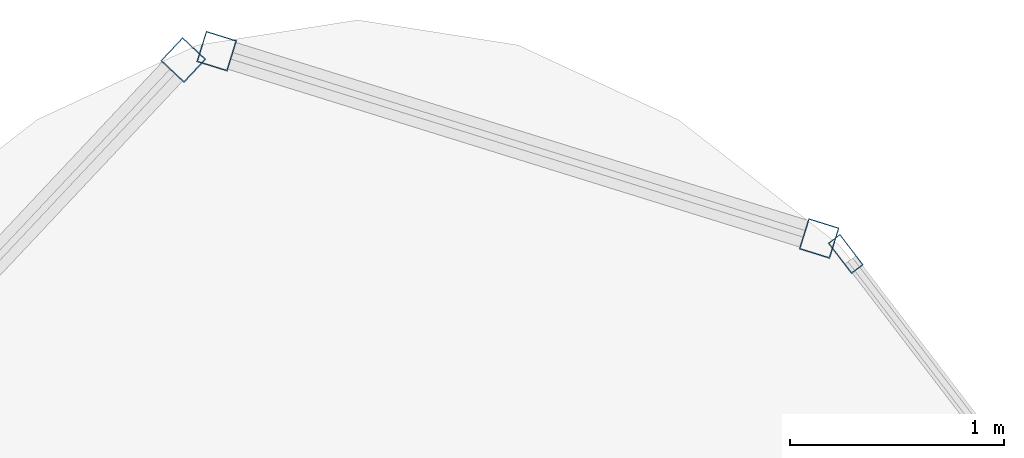
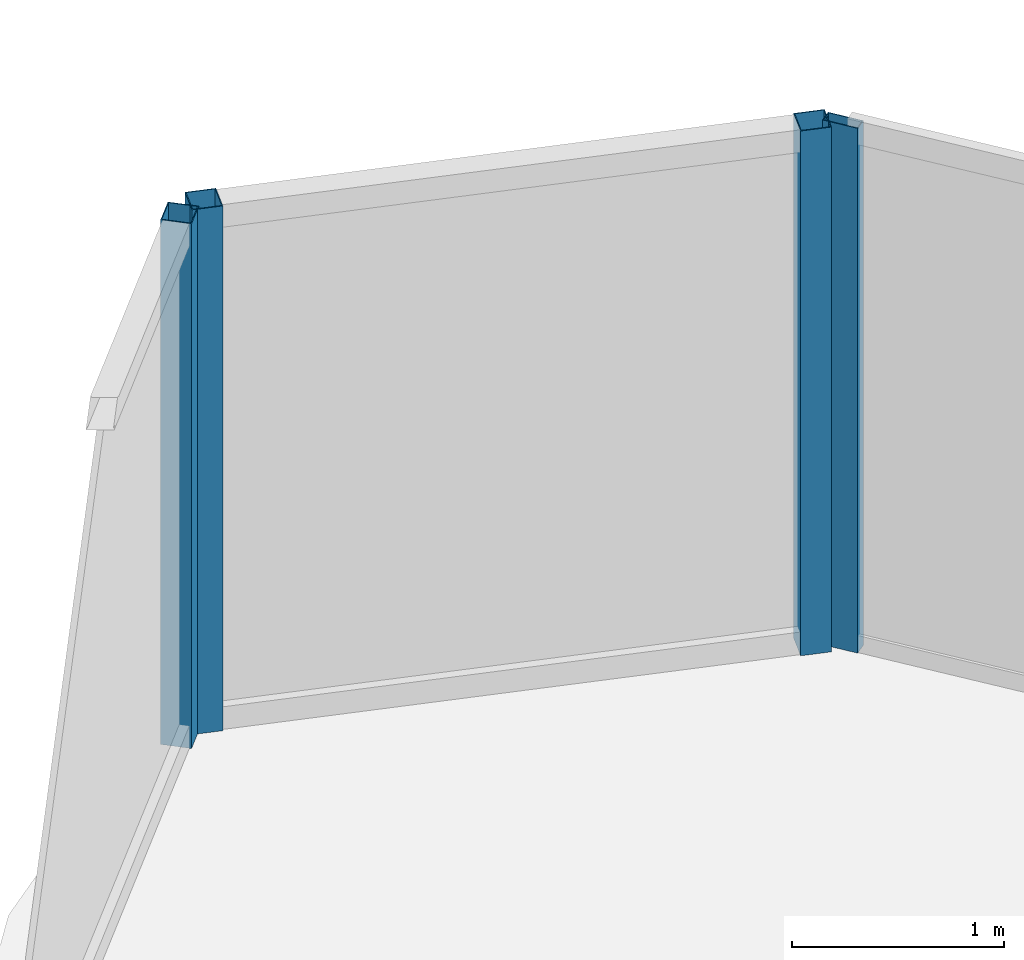
# One storey, part 23 of 33: 4 members, 3 elements without a shape of their own.
"""IFC4 building model written with IfcOpenShell, lengths in metres."""

from ifc_helpers import new_model, si_unit, direction, frame, origin, origin_2d, place, context, subcontext, project, spatial, hollow_rectangle, extrude, material, layer, layer_set, material_profile, profile_set, type_object, element, aggregate, save


model = new_model("IFC4")

# Units and contexts
model_context = context("Model", 3, precision=1e-05, world=origin(), true_north=direction((0.0, 1.0)))
body_context = subcontext(model_context, "Body", "Model", "MODEL_VIEW")
ifc_project = project(units=[si_unit("LENGTHUNIT", "METRE"), si_unit("AREAUNIT", "SQUARE_METRE"), si_unit("VOLUMEUNIT", "CUBIC_METRE"), si_unit("PLANEANGLEUNIT", "RADIAN"), si_unit("MASSUNIT", "GRAM", prefix="KILO")], contexts=[model_context])

# Site, building, storey
site_placement = place(None, origin())
site = spatial("IfcSite", under=ifc_project, at=site_placement, CompositionType="ELEMENT")
building_placement = place(site_placement, origin())
building = spatial("IfcBuilding", under=site, at=building_placement, Name="Orvanel Arch Residences", CompositionType="ELEMENT")
storey_placement = place(building_placement, frame((0.0, 0.0, 93.949951171875)))
storey = spatial("IfcBuildingStorey", under=building, at=storey_placement, Name="L26", CompositionType="ELEMENT", Elevation=93.949951171875)

# Curtain wall, members
ifc_material = material(Name="Bronze-anodised aluminium AA6063-T6", Category="aluminium")
ifc_layer_1 = layer(ifc_material, 0.18994140625)
ifc_layer_set_1 = layer_set([ifc_layer_1], Name="Bronze-anodised aluminium AA6063-T6")
curtain_wall_type_1 = type_object("IfcCurtainWallType", Name="CW5-CRN-SYS", PredefinedType="NOTDEFINED", material=ifc_layer_set_1)
curtain_wall_1_placement = place(storey_placement, origin())
curtain_wall_1 = element("IfcCurtainWall", 1, at=curtain_wall_1_placement, inside=storey, type_object=curtain_wall_type_1, Name="L26 CW5-CRN-SYS Unitised Curtain Wall", PredefinedType="NOTDEFINED")
ifc_material_profile_1 = material_profile(ifc_material, hollow_rectangle(XDim=0.14990234375, YDim=0.14990234375, WallThickness=0.0048828125, at=origin_2d()), Name="ALU150x150x5")
ifc_profile_set_1 = profile_set([ifc_material_profile_1], Name="Bronze-anodised aluminium AA6063-T6")
member_type_1 = type_object("IfcMemberType", Name="MUL-150x150", PredefinedType="MULLION", material=ifc_profile_set_1)
member_1_placement = place(storey_placement, frame((35.1513671875, 49.474365234375, 0.0), z_axis=(0.0, 0.0, 1.0), x_axis=(-0.296948579427, -0.954893471114, 0.0)))
member_1 = element("IfcMember", 2, at=member_1_placement, type_object=member_type_1, Name="CW-S5 mullion 1", PredefinedType="MULLION", context=body_context, shape_type="SweptSolid", body=[
    extrude(hollow_rectangle(XDim=0.14990234375, YDim=0.14990234375, WallThickness=0.0048828125, at=origin_2d()), origin(), (0.0, 0.0, 1.0), 3.02001953125),
])
member_2_placement = place(storey_placement, frame((32.342529296875, 50.34765625, 0.0), z_axis=(0.0, 0.0, 1.0), x_axis=(-0.296948579427, -0.954893471114, 0.0)))
member_2 = element("IfcMember", 3, at=member_2_placement, type_object=member_type_1, Name="CW-S5 mullion 2", PredefinedType="MULLION", context=body_context, shape_type="SweptSolid", body=[
    extrude(hollow_rectangle(XDim=0.14990234375, YDim=0.14990234375, WallThickness=0.0048828125, at=origin_2d()), origin(), (0.0, 0.0, 1.0), 3.02001953125),
])
aggregate(curtain_wall_1, [member_1, member_2])

# Curtain wall, member
curtain_wall_2_placement = place(storey_placement, origin())
curtain_wall_2 = element("IfcCurtainWall", 4, at=curtain_wall_2_placement, inside=storey, type_object=curtain_wall_type_1, Name="L26 CW5-CRN-SYS Unitised Curtain Wall", PredefinedType="NOTDEFINED")
member_3_placement = place(storey_placement, frame((32.186767578125, 50.306396484375, 0.0), z_axis=(0.0, 0.0, 1.0), x_axis=(0.72886179286, -0.684660855394, 0.0)))
member_3 = element("IfcMember", 5, at=member_3_placement, type_object=member_type_1, Name="CW-S5 mullion 1", PredefinedType="MULLION", context=body_context, shape_type="SweptSolid", body=[
    extrude(hollow_rectangle(XDim=0.14990234375, YDim=0.14990234375, WallThickness=0.0048828125, at=origin_2d()), origin(), (0.0, 0.0, 1.0), 3.02001953125),
])
aggregate(curtain_wall_2, [member_3])

ifc_layer_2 = layer(ifc_material, 0.179931640625)
ifc_layer_set_2 = layer_set([ifc_layer_2], Name="Bronze-anodised aluminium AA6063-T6")
curtain_wall_type_2 = type_object("IfcCurtainWallType", Name="CW2-LOW-SYS", PredefinedType="NOTDEFINED", material=ifc_layer_set_2)
curtain_wall_3_placement = place(storey_placement, origin())
curtain_wall_3 = element("IfcCurtainWall", 6, at=curtain_wall_3_placement, inside=storey, type_object=curtain_wall_type_2, Name="L26 CW2-LOW-SYS Unitised Curtain Wall", PredefinedType="NOTDEFINED")
ifc_material_profile_2 = material_profile(ifc_material, hollow_rectangle(XDim=0.070068359375, YDim=0.179931640625, WallThickness=0.00439453125, at=origin_2d()), Name="ALU180x70x4.5")
ifc_profile_set_2 = profile_set([ifc_material_profile_2], Name="Bronze-anodised aluminium AA6063-T6")
member_type_2 = type_object("IfcMemberType", Name="MUL-180x70", PredefinedType="MULLION", material=ifc_profile_set_2)
member_4_placement = place(storey_placement, frame((35.275146484375, 49.402099609375, 0.0), z_axis=(0.0, 0.0, 1.0), x_axis=(-0.794440878404, -0.607341494318, 0.0)))
member_4 = element("IfcMember", 7, at=member_4_placement, type_object=member_type_2, Name="CW-S2 mullion 4", PredefinedType="MULLION", context=body_context, shape_type="SweptSolid", body=[
    extrude(hollow_rectangle(XDim=0.070068359375, YDim=0.179931640625, WallThickness=0.00439453125, at=origin_2d()), origin(), (0.0, 0.0, 1.0), 3.02001953125),
])
aggregate(curtain_wall_3, [member_4])

save(model, "model.ifc")
